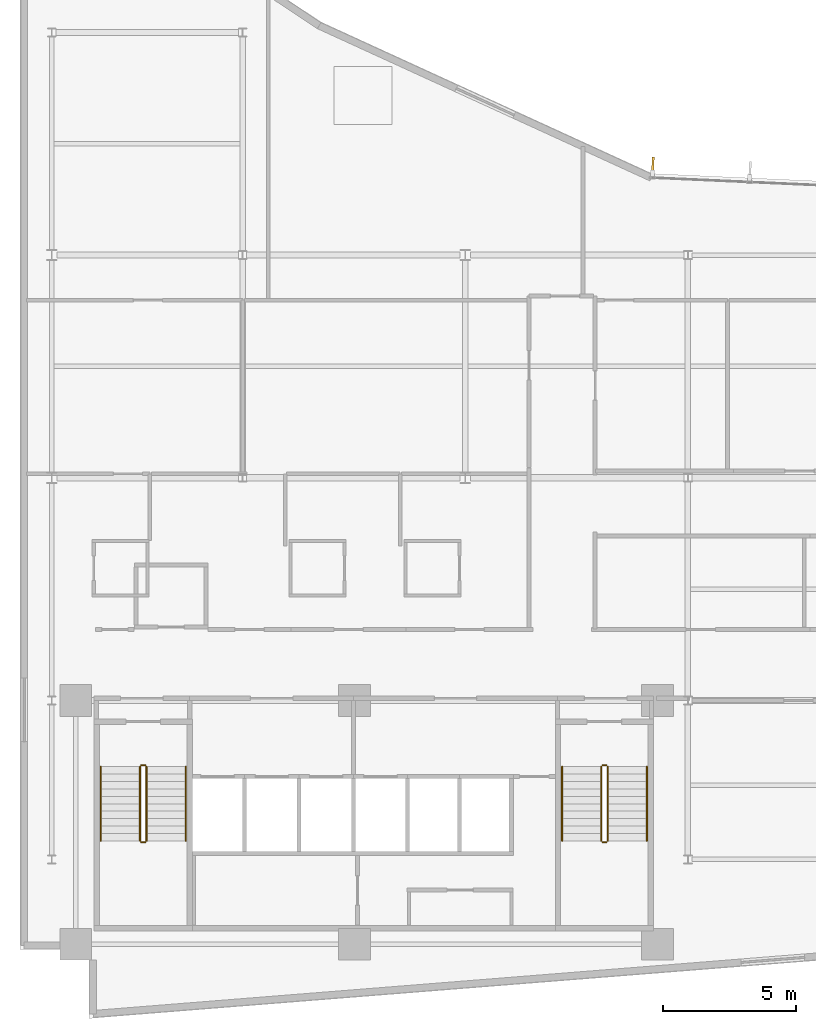
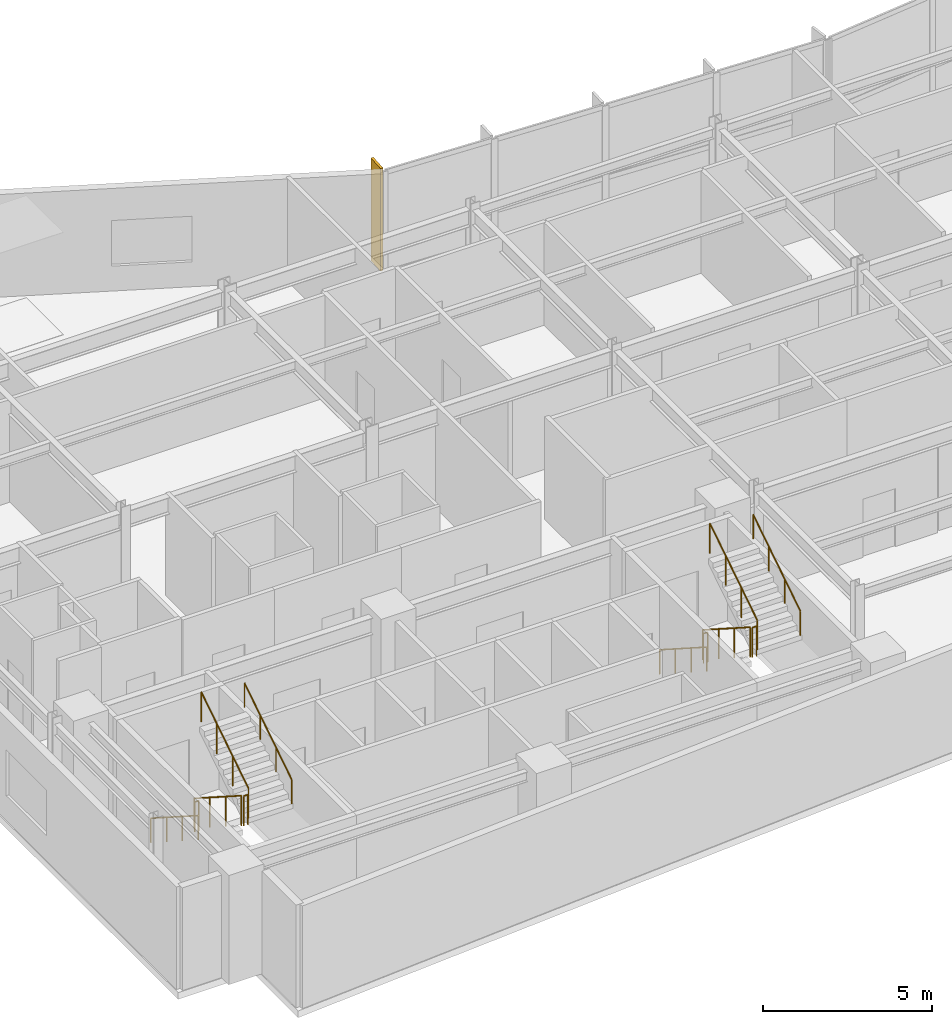
# One storey, part 14 of 18: 12 railings, 1 shading device.
"""IFC4 building model written with IfcOpenShell, lengths in metres."""

from ifc_helpers import new_model, si_unit, direction, frame, origin, origin_2d, place, context, subcontext, project, spatial, rectangle, circle, extrude, material, layer, layer_set, type_object, element, save


model = new_model("IFC4")

# Units and contexts
model_context = context("Model", 3, precision=1e-05, world=origin(), true_north=direction((0.0, 1.0)))
body_context = subcontext(model_context, "Body", "Model", "MODEL_VIEW")
ifc_project = project(units=[si_unit("LENGTHUNIT", "METRE"), si_unit("AREAUNIT", "SQUARE_METRE"), si_unit("VOLUMEUNIT", "CUBIC_METRE"), si_unit("PLANEANGLEUNIT", "RADIAN"), si_unit("MASSUNIT", "GRAM", prefix="KILO")], contexts=[model_context])

# Site, building, storey
site_placement = place(None, origin())
site = spatial("IfcSite", under=ifc_project, at=site_placement, CompositionType="ELEMENT")
building_placement = place(site_placement, origin())
building = spatial("IfcBuilding", under=site, at=building_placement, Name="Varnakote Quay Hospital", CompositionType="ELEMENT")
storey_placement = place(building_placement, frame((0.0, 0.0, 150.75)))
storey = spatial("IfcBuildingStorey", under=building, at=storey_placement, Name="L37", CompositionType="ELEMENT", Elevation=150.75)

# Railings
ifc_material_1 = material(Name="Brushed stainless steel balustrade", Category="steel")
railing_type_1 = type_object("IfcRailingType", Name="RLG-STAIR-GUARD-1150", PredefinedType="GUARDRAIL", material=ifc_material_1)
railing_1_placement = place(storey_placement, frame((4.530029296875, 9.5, 0.179443359375)))
element("IfcRailing", 1, at=railing_1_placement, inside=storey, type_object=railing_type_1, Name="L37 ST-01 stair guard 1", PredefinedType="GUARDRAIL", context=body_context, shape_type="SweptSolid", body=[
    extrude(circle(Radius=0.02392578125, at=origin_2d()), frame((0.0, 0.0, 1.076171875), z_axis=(0.0, -0.841776520102, 0.539826166654), x_axis=(1.0, 0.0, 0.0)), (0.0, 0.0, 1.0), 3.326416015625),
    extrude(circle(Radius=0.02099609375, at=origin_2d()), origin(), (0.0, 0.0, 1.0), 1.052001953125),
    extrude(circle(Radius=0.02099609375, at=origin_2d()), frame((0.0, -0.933349609375, 0.5986328125)), (0.0, 0.0, 1.0), 1.052001953125),
    extrude(circle(Radius=0.02099609375, at=origin_2d()), frame((0.0, -1.86669921875, 1.197021484375)), (0.0, 0.0, 1.0), 1.052001953125),
    extrude(circle(Radius=0.02099609375, at=origin_2d()), frame((0.0, -2.800048828125, 1.795654296875)), (0.0, 0.0, 1.0), 1.052001953125),
])
railing_2_placement = place(storey_placement, frame((4.580078125, 6.64990234375, 1.97509765625)))
element("IfcRailing", 2, at=railing_2_placement, inside=storey, type_object=railing_type_1, Name="L37 ST-01 stair guard 2", PredefinedType="GUARDRAIL", context=body_context, shape_type="SweptSolid", body=[
    extrude(circle(Radius=0.02392578125, at=origin_2d()), frame((0.0, 0.0, 1.076171875), z_axis=(1.0, 0.0, 0.0), x_axis=(0.0, 1.0, 0.0)), (0.0, 0.0, 1.0), 0.139892578125),
    extrude(circle(Radius=0.02099609375, at=origin_2d()), origin(), (0.0, 0.0, 1.0), 1.052001953125),
    extrude(circle(Radius=0.02099609375, at=origin_2d()), frame((0.139892578125, 0.0, 0.0)), (0.0, 0.0, 1.0), 1.052001953125),
])
railing_3_placement = place(storey_placement, frame((4.77001953125, 6.699951171875, 2.154541015625)))
element("IfcRailing", 3, at=railing_3_placement, inside=storey, type_object=railing_type_1, Name="L37 ST-01 stair guard 3", PredefinedType="GUARDRAIL", context=body_context, shape_type="SweptSolid", body=[
    extrude(circle(Radius=0.02392578125, at=origin_2d()), frame((0.0, 0.0, 1.076171875), z_axis=(0.0, 0.841809871826, 0.539774156196), x_axis=(-1.0, 0.0, 0.0)), (0.0, 0.0, 1.0), 3.326171875),
    extrude(circle(Radius=0.02099609375, at=origin_2d()), origin(), (0.0, 0.0, 1.0), 1.052001953125),
    extrude(circle(Radius=0.02099609375, at=origin_2d()), frame((0.0, 0.933349609375, 0.598388671875)), (0.0, 0.0, 1.0), 1.052001953125),
    extrude(circle(Radius=0.02099609375, at=origin_2d()), frame((0.0, 1.86669921875, 1.197021484375)), (0.0, 0.0, 1.0), 1.052001953125),
    extrude(circle(Radius=0.02099609375, at=origin_2d()), frame((0.0, 2.800048828125, 1.79541015625)), (0.0, 0.0, 1.0), 1.052001953125),
])
railing_4_placement = place(storey_placement, frame((4.580078125, 9.550048828125, 0.0)))
element("IfcRailing", 4, at=railing_4_placement, inside=storey, type_object=railing_type_1, Name="L37 ST-01 stair guard 4", PredefinedType="GUARDRAIL", context=body_context, shape_type="SweptSolid", body=[
    extrude(circle(Radius=0.02392578125, at=origin_2d()), frame((0.0, 0.0, 1.076171875), z_axis=(1.0, 0.0, 0.0), x_axis=(0.0, 1.0, 0.0)), (0.0, 0.0, 1.0), 0.139892578125),
    extrude(circle(Radius=0.02099609375, at=origin_2d()), origin(), (0.0, 0.0, 1.0), 1.052001953125),
    extrude(circle(Radius=0.02099609375, at=origin_2d()), frame((0.139892578125, 0.0, 0.0)), (0.0, 0.0, 1.0), 1.052001953125),
])
railing_5_placement = place(storey_placement, frame((21.929931640625, 9.5, 0.179443359375)))
element("IfcRailing", 5, at=railing_5_placement, inside=storey, type_object=railing_type_1, Name="L37 ST-02 stair guard 1", PredefinedType="GUARDRAIL", context=body_context, shape_type="SweptSolid", body=[
    extrude(circle(Radius=0.02392578125, at=origin_2d()), frame((0.0, 0.0, 1.076171875), z_axis=(0.0, -0.841776520102, 0.539826166654), x_axis=(1.0, 0.0, 0.0)), (0.0, 0.0, 1.0), 3.326416015625),
    extrude(circle(Radius=0.02099609375, at=origin_2d()), origin(), (0.0, 0.0, 1.0), 1.052001953125),
    extrude(circle(Radius=0.02099609375, at=origin_2d()), frame((0.0, -0.933349609375, 0.5986328125)), (0.0, 0.0, 1.0), 1.052001953125),
    extrude(circle(Radius=0.02099609375, at=origin_2d()), frame((0.0, -1.86669921875, 1.197021484375)), (0.0, 0.0, 1.0), 1.052001953125),
    extrude(circle(Radius=0.02099609375, at=origin_2d()), frame((0.0, -2.800048828125, 1.795654296875)), (0.0, 0.0, 1.0), 1.052001953125),
])
railing_6_placement = place(storey_placement, frame((21.97998046875, 6.64990234375, 1.97509765625)))
element("IfcRailing", 6, at=railing_6_placement, inside=storey, type_object=railing_type_1, Name="L37 ST-02 stair guard 2", PredefinedType="GUARDRAIL", context=body_context, shape_type="SweptSolid", body=[
    extrude(circle(Radius=0.02392578125, at=origin_2d()), frame((0.0, 0.0, 1.076171875), z_axis=(1.0, 0.0, 0.0), x_axis=(0.0, 1.0, 0.0)), (0.0, 0.0, 1.0), 0.14013671875),
    extrude(circle(Radius=0.02099609375, at=origin_2d()), origin(), (0.0, 0.0, 1.0), 1.052001953125),
    extrude(circle(Radius=0.02099609375, at=origin_2d()), frame((0.14013671875, 0.0, 0.0)), (0.0, 0.0, 1.0), 1.052001953125),
])
railing_7_placement = place(storey_placement, frame((22.169921875, 6.699951171875, 2.154541015625)))
element("IfcRailing", 7, at=railing_7_placement, inside=storey, type_object=railing_type_1, Name="L37 ST-02 stair guard 3", PredefinedType="GUARDRAIL", context=body_context, shape_type="SweptSolid", body=[
    extrude(circle(Radius=0.02392578125, at=origin_2d()), frame((0.0, 0.0, 1.076171875), z_axis=(0.0, 0.841809871826, 0.539774156196), x_axis=(-1.0, 0.0, 0.0)), (0.0, 0.0, 1.0), 3.326171875),
    extrude(circle(Radius=0.02099609375, at=origin_2d()), origin(), (0.0, 0.0, 1.0), 1.052001953125),
    extrude(circle(Radius=0.02099609375, at=origin_2d()), frame((0.0, 0.933349609375, 0.598388671875)), (0.0, 0.0, 1.0), 1.052001953125),
    extrude(circle(Radius=0.02099609375, at=origin_2d()), frame((0.0, 1.86669921875, 1.197021484375)), (0.0, 0.0, 1.0), 1.052001953125),
    extrude(circle(Radius=0.02099609375, at=origin_2d()), frame((0.0, 2.800048828125, 1.79541015625)), (0.0, 0.0, 1.0), 1.052001953125),
])
railing_8_placement = place(storey_placement, frame((21.97998046875, 9.550048828125, 0.0)))
element("IfcRailing", 8, at=railing_8_placement, inside=storey, type_object=railing_type_1, Name="L37 ST-02 stair guard 4", PredefinedType="GUARDRAIL", context=body_context, shape_type="SweptSolid", body=[
    extrude(circle(Radius=0.02392578125, at=origin_2d()), frame((0.0, 0.0, 1.076171875), z_axis=(1.0, 0.0, 0.0), x_axis=(0.0, 1.0, 0.0)), (0.0, 0.0, 1.0), 0.14013671875),
    extrude(circle(Radius=0.02099609375, at=origin_2d()), origin(), (0.0, 0.0, 1.0), 1.052001953125),
    extrude(circle(Radius=0.02099609375, at=origin_2d()), frame((0.14013671875, 0.0, 0.0)), (0.0, 0.0, 1.0), 1.052001953125),
])
ifc_material_2 = material(Name="Brushed stainless steel handrail", Category="steel")
railing_type_2 = type_object("IfcRailingType", Name="RLG-STAIR-HND-920", PredefinedType="HANDRAIL", material=ifc_material_2)
railing_9_placement = place(storey_placement, frame((3.050048828125, 9.5, 0.179443359375)))
element("IfcRailing", 9, at=railing_9_placement, inside=storey, type_object=railing_type_2, Name="L37 ST-01 stair handrail 1", PredefinedType="HANDRAIL", context=body_context, shape_type="SweptSolid", body=[
    extrude(circle(Radius=0.02392578125, at=origin_2d()), frame((0.0, 0.0, 0.8759765625), z_axis=(0.0, -0.841776520102, 0.539826166654), x_axis=(1.0, 0.0, 0.0)), (0.0, 0.0, 1.0), 3.326416015625),
    extrude(circle(Radius=0.02099609375, at=origin_2d()), origin(), (0.0, 0.0, 1.0), 0.851806640625),
    extrude(circle(Radius=0.02099609375, at=origin_2d()), frame((0.0, -0.933349609375, 0.5986328125)), (0.0, 0.0, 1.0), 0.851806640625),
    extrude(circle(Radius=0.02099609375, at=origin_2d()), frame((0.0, -1.86669921875, 1.197021484375)), (0.0, 0.0, 1.0), 0.851806640625),
    extrude(circle(Radius=0.02099609375, at=origin_2d()), frame((0.0, -2.800048828125, 1.795654296875)), (0.0, 0.0, 1.0), 0.851806640625),
])
railing_10_placement = place(storey_placement, frame((6.25, 6.699951171875, 2.154541015625)))
element("IfcRailing", 10, at=railing_10_placement, inside=storey, type_object=railing_type_2, Name="L37 ST-01 stair handrail 2", PredefinedType="HANDRAIL", context=body_context, shape_type="SweptSolid", body=[
    extrude(circle(Radius=0.02392578125, at=origin_2d()), frame((0.0, 0.0, 0.8759765625), z_axis=(0.0, 0.841809871826, 0.539774156196), x_axis=(-1.0, 0.0, 0.0)), (0.0, 0.0, 1.0), 3.326171875),
    extrude(circle(Radius=0.02099609375, at=origin_2d()), origin(), (0.0, 0.0, 1.0), 0.851806640625),
    extrude(circle(Radius=0.02099609375, at=origin_2d()), frame((0.0, 0.933349609375, 0.598388671875)), (0.0, 0.0, 1.0), 0.851806640625),
    extrude(circle(Radius=0.02099609375, at=origin_2d()), frame((0.0, 1.86669921875, 1.197021484375)), (0.0, 0.0, 1.0), 0.851806640625),
    extrude(circle(Radius=0.02099609375, at=origin_2d()), frame((0.0, 2.800048828125, 1.79541015625)), (0.0, 0.0, 1.0), 0.851806640625),
])
railing_11_placement = place(storey_placement, frame((20.449951171875, 9.5, 0.179443359375)))
element("IfcRailing", 11, at=railing_11_placement, inside=storey, type_object=railing_type_2, Name="L37 ST-02 stair handrail 1", PredefinedType="HANDRAIL", context=body_context, shape_type="SweptSolid", body=[
    extrude(circle(Radius=0.02392578125, at=origin_2d()), frame((0.0, 0.0, 0.8759765625), z_axis=(0.0, -0.841776520102, 0.539826166654), x_axis=(1.0, 0.0, 0.0)), (0.0, 0.0, 1.0), 3.326416015625),
    extrude(circle(Radius=0.02099609375, at=origin_2d()), origin(), (0.0, 0.0, 1.0), 0.851806640625),
    extrude(circle(Radius=0.02099609375, at=origin_2d()), frame((0.0, -0.933349609375, 0.5986328125)), (0.0, 0.0, 1.0), 0.851806640625),
    extrude(circle(Radius=0.02099609375, at=origin_2d()), frame((0.0, -1.86669921875, 1.197021484375)), (0.0, 0.0, 1.0), 0.851806640625),
    extrude(circle(Radius=0.02099609375, at=origin_2d()), frame((0.0, -2.800048828125, 1.795654296875)), (0.0, 0.0, 1.0), 0.851806640625),
])
railing_12_placement = place(storey_placement, frame((23.64990234375, 6.699951171875, 2.154541015625)))
element("IfcRailing", 12, at=railing_12_placement, inside=storey, type_object=railing_type_2, Name="L37 ST-02 stair handrail 2", PredefinedType="HANDRAIL", context=body_context, shape_type="SweptSolid", body=[
    extrude(circle(Radius=0.02392578125, at=origin_2d()), frame((0.0, 0.0, 0.8759765625), z_axis=(0.0, 0.841809871826, 0.539774156196), x_axis=(-1.0, 0.0, 0.0)), (0.0, 0.0, 1.0), 3.326171875),
    extrude(circle(Radius=0.02099609375, at=origin_2d()), origin(), (0.0, 0.0, 1.0), 0.851806640625),
    extrude(circle(Radius=0.02099609375, at=origin_2d()), frame((0.0, 0.933349609375, 0.598388671875)), (0.0, 0.0, 1.0), 0.851806640625),
    extrude(circle(Radius=0.02099609375, at=origin_2d()), frame((0.0, 1.86669921875, 1.197021484375)), (0.0, 0.0, 1.0), 0.851806640625),
    extrude(circle(Radius=0.02099609375, at=origin_2d()), frame((0.0, 2.800048828125, 1.79541015625)), (0.0, 0.0, 1.0), 0.851806640625),
])

# Shading device
ifc_material_3 = material(Name="Anodised aluminium 6063-T6 Bronze", Category="aluminium")
ifc_layer = layer(ifc_material_3, 0.0849609375)
ifc_layer_set = layer_set([ifc_layer], Name="Anodised aluminium 6063-T6 Bronze")
shading_device_type = type_object("IfcShadingDeviceType", Name="SHD-BRONZE-FIN-620", PredefinedType="USERDEFINED", material=ifc_layer_set)
shading_device_placement = place(storey_placement, frame((23.876220703125, 32.183349609375, 0.0), z_axis=(0.0, 0.0, 1.0), x_axis=(-0.044839922168, -0.998994184858, 0.0)))
element("IfcShadingDevice", 13, at=shading_device_placement, inside=storey, type_object=shading_device_type, Name="L37 Anodised Bronze Vertical Shading FIN", ObjectType="FIN", PredefinedType="USERDEFINED", context=body_context, shape_type="SweptSolid", body=[
    extrude(rectangle(XDim=0.6201171875, YDim=0.0849609375, at=origin_2d()), origin(), (0.0, 0.0, 1.0), 3.7099609375),
])

save(model, "model.ifc")
